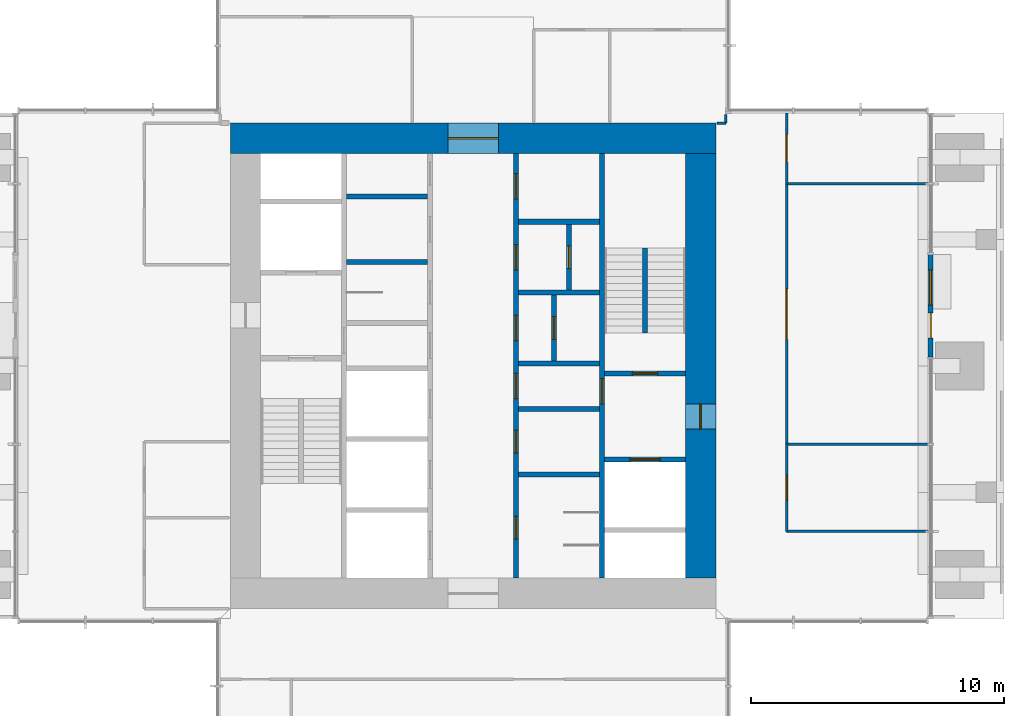
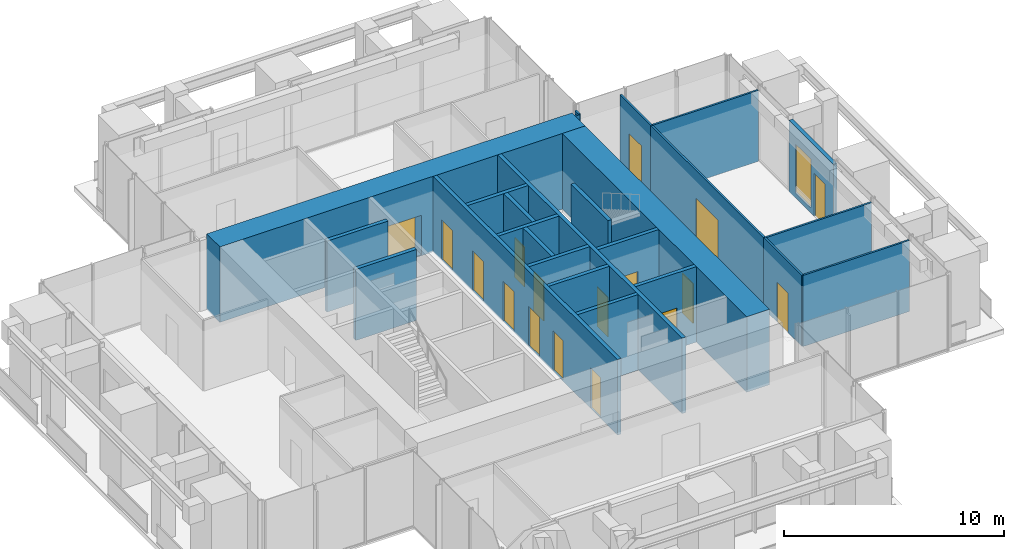
# One storey, part 8 of 12: 25 walls, 17 doors, 1 window, 18 openings.
"""IFC4 building model written with IfcOpenShell, lengths in metres."""

from ifc_helpers import new_model, si_unit, direction, frame, frame_2d, origin, place, context, subcontext, project, spatial, rectangle, extrude, material, layer, layer_set, type_object, element, fill, save


model = new_model("IFC4")

# Units and contexts
model_context = context("Model", 3, precision=1e-05, world=origin(), true_north=direction((0.0, 1.0)))
body_context = subcontext(model_context, "Body", "Model", "MODEL_VIEW")
ifc_project = project(units=[si_unit("LENGTHUNIT", "METRE"), si_unit("AREAUNIT", "SQUARE_METRE"), si_unit("VOLUMEUNIT", "CUBIC_METRE"), si_unit("PLANEANGLEUNIT", "RADIAN"), si_unit("MASSUNIT", "GRAM", prefix="KILO")], contexts=[model_context])

# Site, building, storey
site_placement = place(None, origin())
site = spatial("IfcSite", under=ifc_project, at=site_placement, CompositionType="ELEMENT")
building_placement = place(site_placement, origin())
building = spatial("IfcBuilding", under=site, at=building_placement, Name="Svetlomir Tower", CompositionType="ELEMENT")
storey_placement = place(building_placement, frame((0.0, 0.0, 265.0)))
storey = spatial("IfcBuildingStorey", under=building, at=storey_placement, Name="L63", CompositionType="ELEMENT", Elevation=265.0)

# Walls
ifc_material_1 = material(Name="Gypsum board on twin steel studs", Category="steel")
ifc_layer_1 = layer(ifc_material_1, 0.199951171875)
ifc_layer_set_1 = layer_set([ifc_layer_1], Name="Gypsum board on twin steel studs")
wall_type_1 = type_object("IfcWallType", Name="ACOUSTIC PARTITION 200", PredefinedType="PARTITIONING", material=ifc_layer_set_1)
for number, where, z_axis, x_axis, name in (
    (1, (16.0, 25.10009765625, 0.0), (0.0, 0.0, 1.0), (1.0, 0.0, 0.0), "Core cell partition 16-19.2/25.1 L63"),
    (2, (16.0, 27.699951171875, 0.0), (0.0, 0.0, 1.0), (1.0, 0.0, 0.0), "Core cell partition 16-19.2/27.7 L63"),
):
    element("IfcWall", number, at=place(storey_placement, frame(where, z_axis=z_axis, x_axis=x_axis)), inside=storey, type_object=wall_type_1, Name=name, PredefinedType="PARTITIONING", context=body_context, shape_type="SweptSolid", body=[
        extrude(rectangle(XDim=3.199951171875, YDim=0.199951171875, at=frame_2d((1.60009765625, 0.0))), origin(), (0.0, 0.0, 1.0), 3.949951171875),
    ])

# Wall, openings, door, window
ifc_material_2 = material(Name="Bronze anodised aluminium glazed screen", Category="aluminium")
ifc_layer_2 = layer(ifc_material_2, 0.199951171875)
ifc_layer_set_2 = layer_set([ifc_layer_2], Name="Bronze anodised aluminium glazed screen")
wall_type_2 = type_object("IfcWallType", Name="BALCONY SCREEN WALL 200", PredefinedType="USERDEFINED", material=ifc_layer_set_2)
wall_1_placement = place(storey_placement, frame((39.10009765625, 21.35009765625, 0.0), z_axis=(0.0, 0.0, 1.0), x_axis=(0.0, 1.0, 0.0)))
wall_1 = element("IfcWall", 3, at=wall_1_placement, inside=storey, type_object=wall_type_2, Name="Balcony screen E", ObjectType="GLAZED SCREEN", PredefinedType="USERDEFINED", context=body_context, shape_type="SweptSolid", body=[
    extrude(rectangle(XDim=4.0498046875, YDim=0.199951171875, at=frame_2d((2.02490234375, 0.0))), origin(), (0.0, 0.0, 1.0), 3.949951171875),
])
opening_1_placement = place(wall_1_placement, frame((0.75, 0.0, 0.0)))
opening_1 = element("IfcOpeningElement", 4, at=opening_1_placement, cuts=wall_1, Name="Opening BD", PredefinedType="OPENING", context=body_context, shape_type="SweptSolid", body=[
    extrude(rectangle(XDim=1.0, YDim=2.39990234375, at=frame_2d((0.5, 1.199951171875))), frame((0.0, 0.10986328125, 0.0), z_axis=(0.0, -1.0, 0.0), x_axis=(1.0, 0.0, 0.0)), (0.0, 0.0, 1.0), 0.219970703125),
])
opening_2_placement = place(wall_1_placement, frame((2.050048828125, 0.0, 0.300048828125)))
opening_2 = element("IfcOpeningElement", 5, at=opening_2_placement, cuts=wall_1, Name="Opening WS2", PredefinedType="OPENING", context=body_context, shape_type="SweptSolid", body=[
    extrude(rectangle(XDim=1.39990234375, YDim=2.699951171875, at=frame_2d((0.699951171875, 1.35009765625))), frame((0.0, 0.10986328125, 0.0), z_axis=(0.0, -1.0, 0.0), x_axis=(1.0, 0.0, 0.0)), (0.0, 0.0, 1.0), 0.219970703125),
])
ifc_material_3 = material(Name="Bronze anodised aluminium glazed door", Category="aluminium")
door_type_1 = type_object("IfcDoorType", Name="BALCONY DOOR BD 1000x2400", OperationType="SINGLE_SWING_LEFT", PredefinedType="DOOR", material=ifc_material_3)
door_1_placement = place(opening_1_placement, origin())
door_1 = element("IfcDoor", 6, at=door_1_placement, inside=storey, type_object=door_type_1, Name="Balcony screen E door", OperationType="SINGLE_SWING_LEFT", OverallHeight=2.39990234375, OverallWidth=1.0, PredefinedType="DOOR", context=body_context, shape_type="SweptSolid", body=[
    extrude(rectangle(XDim=1.0, YDim=2.39990234375, at=frame_2d((0.5, 1.199951171875))), frame((0.0, 0.02490234375, 0.0), z_axis=(0.0, -1.0, 0.0), x_axis=(1.0, 0.0, 0.0)), (0.0, 0.0, 1.0), 0.050048828125),
])
fill(opening_1, door_1)
ifc_material_4 = material(Name="Bronze anodised aluminium window", Category="aluminium")
window_type = type_object("IfcWindowType", Name="SCREEN WINDOW WS2 1400x2700", PartitioningType="SINGLE_PANEL", PredefinedType="WINDOW", material=ifc_material_4)
window_placement = place(opening_2_placement, origin())
window = element("IfcWindow", 7, at=window_placement, inside=storey, type_object=window_type, Name="Balcony screen E window 1", OverallHeight=2.699951171875, OverallWidth=1.39990234375, PartitioningType="SINGLE_PANEL", PredefinedType="WINDOW", context=body_context, shape_type="SweptSolid", body=[
    extrude(rectangle(XDim=1.39990234375, YDim=2.699951171875, at=frame_2d((0.699951171875, 1.35009765625))), frame((0.0, 0.030029296875, 0.0), z_axis=(0.0, -1.0, 0.0), x_axis=(1.0, 0.0, 0.0)), (0.0, 0.0, 1.0), 0.06005859375),
])
fill(opening_2, window)

# Wall, openings, doors
ifc_material_5 = material(Name="Concrete C60/75", Category="concrete")
ifc_layer_3 = layer(ifc_material_5, 0.199951171875)
ifc_layer_set_3 = layer_set([ifc_layer_3], Name="Concrete C60/75")
wall_type_3 = type_object("IfcWallType", Name="CORE INNER WALL 200", PredefinedType="SHEAR", material=ifc_layer_set_3)
wall_2_placement = place(storey_placement, frame((22.699951171875, 12.60009765625, -0.050048828125), z_axis=(0.0, 0.0, 1.0), x_axis=(0.0, 1.0, 0.0)))
wall_2 = element("IfcWall", 8, at=wall_2_placement, inside=storey, type_object=wall_type_3, Name="Core inner wall 22.7 L63", PredefinedType="SHEAR", context=body_context, shape_type="SweptSolid", body=[
    extrude(rectangle(XDim=16.7998046875, YDim=0.199951171875, at=frame_2d((8.39990234375, 0.0))), origin(), (0.0, 0.0, 1.0), 4.199951171875),
])
opening_3_placement = place(wall_2_placement, frame((7.10009765625, 0.0, 0.050048828125)))
opening_3 = element("IfcOpeningElement", 9, at=opening_3_placement, cuts=wall_2, Name="Opening DC", PredefinedType="OPENING", context=body_context, shape_type="SweptSolid", body=[
    extrude(rectangle(XDim=1.0, YDim=2.199951171875, at=frame_2d((0.5, 1.10009765625))), frame((0.0, 0.10986328125, 0.0), z_axis=(0.0, -1.0, 0.0), x_axis=(1.0, 0.0, 0.0)), (0.0, 0.0, 1.0), 0.219970703125),
])
opening_4_placement = place(wall_2_placement, frame((1.550048828125, 0.0, 0.050048828125)))
opening_4 = element("IfcOpeningElement", 10, at=opening_4_placement, cuts=wall_2, Name="Opening DW", PredefinedType="OPENING", context=body_context, shape_type="SweptSolid", body=[
    extrude(rectangle(XDim=0.89990234375, YDim=2.199951171875, at=frame_2d((0.449951171875, 1.10009765625))), frame((0.0, 0.10986328125, 0.0), z_axis=(0.0, -1.0, 0.0), x_axis=(1.0, 0.0, 0.0)), (0.0, 0.0, 1.0), 0.219970703125),
])
opening_5_placement = place(wall_2_placement, frame((4.949951171875, 0.0, 0.050048828125)))
opening_5 = element("IfcOpeningElement", 11, at=opening_5_placement, cuts=wall_2, Name="Opening DW", PredefinedType="OPENING", context=body_context, shape_type="SweptSolid", body=[
    extrude(rectangle(XDim=0.89990234375, YDim=2.199951171875, at=frame_2d((0.449951171875, 1.10009765625))), frame((0.0, 0.10986328125, 0.0), z_axis=(0.0, -1.0, 0.0), x_axis=(1.0, 0.0, 0.0)), (0.0, 0.0, 1.0), 0.219970703125),
])
opening_6_placement = place(wall_2_placement, frame((9.39990234375, 0.0, 0.050048828125)))
opening_6 = element("IfcOpeningElement", 12, at=opening_6_placement, cuts=wall_2, Name="Opening DC", PredefinedType="OPENING", context=body_context, shape_type="SweptSolid", body=[
    extrude(rectangle(XDim=1.0, YDim=2.199951171875, at=frame_2d((0.5, 1.10009765625))), frame((0.0, 0.10986328125, 0.0), z_axis=(0.0, -1.0, 0.0), x_axis=(1.0, 0.0, 0.0)), (0.0, 0.0, 1.0), 0.219970703125),
])
opening_7_placement = place(wall_2_placement, frame((12.199951171875, 0.0, 0.050048828125)))
opening_7 = element("IfcOpeningElement", 13, at=opening_7_placement, cuts=wall_2, Name="Opening DC", PredefinedType="OPENING", context=body_context, shape_type="SweptSolid", body=[
    extrude(rectangle(XDim=1.0, YDim=2.199951171875, at=frame_2d((0.5, 1.10009765625))), frame((0.0, 0.10986328125, 0.0), z_axis=(0.0, -1.0, 0.0), x_axis=(1.0, 0.0, 0.0)), (0.0, 0.0, 1.0), 0.219970703125),
])
opening_8_placement = place(wall_2_placement, frame((15.0, 0.0, 0.050048828125)))
opening_8 = element("IfcOpeningElement", 14, at=opening_8_placement, cuts=wall_2, Name="Opening DC", PredefinedType="OPENING", context=body_context, shape_type="SweptSolid", body=[
    extrude(rectangle(XDim=1.0, YDim=2.199951171875, at=frame_2d((0.5, 1.10009765625))), frame((0.0, 0.10986328125, 0.0), z_axis=(0.0, -1.0, 0.0), x_axis=(1.0, 0.0, 0.0)), (0.0, 0.0, 1.0), 0.219970703125),
])
ifc_material_6 = material(Name="Timber fire door", Category="wood")
door_type_2 = type_object("IfcDoorType", Name="DOOR DC 1000x2200", OperationType="SINGLE_SWING_LEFT", PredefinedType="DOOR", material=ifc_material_6)
door_2_placement = place(opening_3_placement, origin())
door_2 = element("IfcDoor", 15, at=door_2_placement, inside=storey, type_object=door_type_2, Name="Core corridor east lobby door L63", OperationType="SINGLE_SWING_RIGHT", OverallHeight=2.199951171875, OverallWidth=1.0, PredefinedType="DOOR", context=body_context, shape_type="SweptSolid", body=[
    extrude(rectangle(XDim=1.0, YDim=2.199951171875, at=frame_2d((0.5, 1.10009765625))), frame((0.0, 0.02490234375, 0.0), z_axis=(0.0, -1.0, 0.0), x_axis=(1.0, 0.0, 0.0)), (0.0, 0.0, 1.0), 0.050048828125),
])
fill(opening_3, door_2)
door_3_placement = place(opening_6_placement, origin())
door_3 = element("IfcDoor", 16, at=door_3_placement, inside=storey, type_object=door_type_2, Name="Converted shaft BANK-E1 room door L63", OperationType="SINGLE_SWING_RIGHT", OverallHeight=2.199951171875, OverallWidth=1.0, PredefinedType="DOOR", context=body_context, shape_type="SweptSolid", body=[
    extrude(rectangle(XDim=1.0, YDim=2.199951171875, at=frame_2d((0.5, 1.10009765625))), frame((0.0, 0.02490234375, 0.0), z_axis=(0.0, -1.0, 0.0), x_axis=(1.0, 0.0, 0.0)), (0.0, 0.0, 1.0), 0.050048828125),
])
fill(opening_6, door_3)
door_4_placement = place(opening_7_placement, origin())
door_4 = element("IfcDoor", 17, at=door_4_placement, inside=storey, type_object=door_type_2, Name="Converted shaft BANK-E2 room door L63", OperationType="SINGLE_SWING_RIGHT", OverallHeight=2.199951171875, OverallWidth=1.0, PredefinedType="DOOR", context=body_context, shape_type="SweptSolid", body=[
    extrude(rectangle(XDim=1.0, YDim=2.199951171875, at=frame_2d((0.5, 1.10009765625))), frame((0.0, 0.02490234375, 0.0), z_axis=(0.0, -1.0, 0.0), x_axis=(1.0, 0.0, 0.0)), (0.0, 0.0, 1.0), 0.050048828125),
])
fill(opening_7, door_4)
door_5_placement = place(opening_8_placement, origin())
door_5 = element("IfcDoor", 18, at=door_5_placement, inside=storey, type_object=door_type_2, Name="Converted shaft BANK-E3 room door L63", OperationType="SINGLE_SWING_RIGHT", OverallHeight=2.199951171875, OverallWidth=1.0, PredefinedType="DOOR", context=body_context, shape_type="SweptSolid", body=[
    extrude(rectangle(XDim=1.0, YDim=2.199951171875, at=frame_2d((0.5, 1.10009765625))), frame((0.0, 0.02490234375, 0.0), z_axis=(0.0, -1.0, 0.0), x_axis=(1.0, 0.0, 0.0)), (0.0, 0.0, 1.0), 0.050048828125),
])
fill(opening_8, door_5)
ifc_material_7 = material(Name="Timber fire door", Category="wood")
door_type_3 = type_object("IfcDoorType", Name="DOOR DW 900x2200", OperationType="SINGLE_SWING_LEFT", PredefinedType="DOOR", material=ifc_material_7)
door_6_placement = place(opening_4_placement, origin())
door_6 = element("IfcDoor", 19, at=door_6_placement, inside=storey, type_object=door_type_3, Name="Male WC door L63", OperationType="SINGLE_SWING_RIGHT", OverallHeight=2.199951171875, OverallWidth=0.89990234375, PredefinedType="DOOR", context=body_context, shape_type="SweptSolid", body=[
    extrude(rectangle(XDim=0.89990234375, YDim=2.199951171875, at=frame_2d((0.449951171875, 1.10009765625))), frame((0.0, 0.02490234375, 0.0), z_axis=(0.0, -1.0, 0.0), x_axis=(1.0, 0.0, 0.0)), (0.0, 0.0, 1.0), 0.050048828125),
])
fill(opening_4, door_6)
door_7_placement = place(opening_5_placement, origin())
door_7 = element("IfcDoor", 20, at=door_7_placement, inside=storey, type_object=door_type_3, Name="Comms room door L63", OperationType="SINGLE_SWING_LEFT", OverallHeight=2.199951171875, OverallWidth=0.89990234375, PredefinedType="DOOR", context=body_context, shape_type="SweptSolid", body=[
    extrude(rectangle(XDim=0.89990234375, YDim=2.199951171875, at=frame_2d((0.449951171875, 1.10009765625))), frame((0.0, 0.02490234375, 0.0), z_axis=(0.0, -1.0, 0.0), x_axis=(1.0, 0.0, 0.0)), (0.0, 0.0, 1.0), 0.050048828125),
])
fill(opening_5, door_7)

# Wall, opening, door
wall_3_placement = place(storey_placement, frame((26.10009765625, 12.60009765625, -0.050048828125), z_axis=(0.0, 0.0, 1.0), x_axis=(0.0, 1.0, 0.0)))
wall_3 = element("IfcWall", 21, at=wall_3_placement, inside=storey, type_object=wall_type_3, Name="Core inner wall 26.1 L63", PredefinedType="SHEAR", context=body_context, shape_type="SweptSolid", body=[
    extrude(rectangle(XDim=16.7998046875, YDim=0.199951171875, at=frame_2d((8.39990234375, 0.0))), origin(), (0.0, 0.0, 1.0), 4.199951171875),
])
opening_9_placement = place(wall_3_placement, frame((6.89990234375, 0.0, 0.050048828125)))
opening_9 = element("IfcOpeningElement", 22, at=opening_9_placement, cuts=wall_3, Name="Opening DF", PredefinedType="OPENING", context=body_context, shape_type="SweptSolid", body=[
    extrude(rectangle(XDim=1.0, YDim=2.199951171875, at=frame_2d((0.5, 1.10009765625))), frame((0.0, 0.10986328125, 0.0), z_axis=(0.0, -1.0, 0.0), x_axis=(1.0, 0.0, 0.0)), (0.0, 0.0, 1.0), 0.219970703125),
])
ifc_material_8 = material(Name="Steel fire door", Category="steel")
door_type_4 = type_object("IfcDoorType", Name="DOOR DF 1000x2200", OperationType="SINGLE_SWING_LEFT", PredefinedType="DOOR", material=ifc_material_8)
door_8_placement = place(opening_9_placement, origin())
door_8 = element("IfcDoor", 23, at=door_8_placement, inside=storey, type_object=door_type_4, Name="Core corridor east door L63", OperationType="SINGLE_SWING_LEFT", OverallHeight=2.199951171875, OverallWidth=1.0, PredefinedType="DOOR", context=body_context, shape_type="SweptSolid", body=[
    extrude(rectangle(XDim=1.0, YDim=2.199951171875, at=frame_2d((0.5, 1.10009765625))), frame((0.0, 0.02490234375, 0.0), z_axis=(0.0, -1.0, 0.0), x_axis=(1.0, 0.0, 0.0)), (0.0, 0.0, 1.0), 0.050048828125),
])
fill(opening_9, door_8)

# Walls
for number, where, z_axis, x_axis, name in (
    (24, (22.800048828125, 16.699951171875, -0.050048828125), (0.0, 0.0, 1.0), (1.0, 0.0, 0.0), "Core inner wall 22.8-26/16.7 L63"),
    (25, (22.800048828125, 19.300048828125, -0.050048828125), (0.0, 0.0, 1.0), (1.0, 0.0, 0.0), "Core inner wall 22.8-26/19.3 L63"),
    (26, (22.800048828125, 21.10009765625, -0.050048828125), (0.0, 0.0, 1.0), (1.0, 0.0, 0.0), "Core inner wall 22.8-26/21.1 L63"),
    (27, (22.800048828125, 23.89990234375, -0.050048828125), (0.0, 0.0, 1.0), (1.0, 0.0, 0.0), "Core inner wall 22.8-26/23.9 L63"),
    (28, (22.800048828125, 26.699951171875, -0.050048828125), (0.0, 0.0, 1.0), (1.0, 0.0, 0.0), "Core inner wall 22.8-26/26.7 L63"),
):
    element("IfcWall", number, at=place(storey_placement, frame(where, z_axis=z_axis, x_axis=x_axis)), inside=storey, type_object=wall_type_3, Name=name, PredefinedType="SHEAR", context=body_context, shape_type="SweptSolid", body=[
        extrude(rectangle(XDim=3.199951171875, YDim=0.199951171875, at=frame_2d((1.60009765625, 0.0))), origin(), (0.0, 0.0, 1.0), 4.199951171875),
    ])

# Wall, opening, door
wall_4_placement = place(storey_placement, frame((26.199951171875, 17.300048828125, -0.050048828125), z_axis=(0.0, 0.0, 1.0), x_axis=(1.0, 0.0, 0.0)))
wall_4 = element("IfcWall", 29, at=wall_4_placement, inside=storey, type_object=wall_type_3, Name="Core inner wall 26.2-29.4/17.3 L63", PredefinedType="SHEAR", context=body_context, shape_type="SweptSolid", body=[
    extrude(rectangle(XDim=3.199951171875, YDim=0.199951171875, at=frame_2d((1.60009765625, 0.0))), origin(), (0.0, 0.0, 1.0), 4.199951171875),
])
opening_10_placement = place(wall_4_placement, frame((1.0, 0.0, 0.050048828125)))
opening_10 = element("IfcOpeningElement", 30, at=opening_10_placement, cuts=wall_4, Name="Opening LD3", PredefinedType="OPENING", context=body_context, shape_type="SweptSolid", body=[
    extrude(rectangle(XDim=1.199951171875, YDim=2.199951171875, at=frame_2d((0.60009765625, 1.10009765625))), frame((0.0, 0.10986328125, 0.0), z_axis=(0.0, -1.0, 0.0), x_axis=(1.0, 0.0, 0.0)), (0.0, 0.0, 1.0), 0.219970703125),
])
ifc_material_9 = material(Name="Stainless steel fire-rated landing door", Category="steel")
door_type_5 = type_object("IfcDoorType", Name="FIREFIGHTING LIFT LANDING DOOR LD3 1200x2200", OperationType="DOUBLE_DOOR_SLIDING", PredefinedType="DOOR", material=ifc_material_9)
door_9_placement = place(opening_10_placement, origin())
door_9 = element("IfcDoor", 31, at=door_9_placement, inside=storey, type_object=door_type_5, Name="Landing door lift FL2 L63", OperationType="DOUBLE_DOOR_SLIDING", OverallHeight=2.199951171875, OverallWidth=1.199951171875, PredefinedType="DOOR", context=body_context, shape_type="SweptSolid", body=[
    extrude(rectangle(XDim=1.199951171875, YDim=2.199951171875, at=frame_2d((0.60009765625, 1.10009765625))), frame((0.0, 0.02490234375, 0.0), z_axis=(0.0, -1.0, 0.0), x_axis=(1.0, 0.0, 0.0)), (0.0, 0.0, 1.0), 0.050048828125),
])
fill(opening_10, door_9)

wall_5_placement = place(storey_placement, frame((26.199951171875, 20.699951171875, -0.050048828125), z_axis=(0.0, 0.0, 1.0), x_axis=(1.0, 0.0, 0.0)))
wall_5 = element("IfcWall", 32, at=wall_5_placement, inside=storey, type_object=wall_type_3, Name="Core inner wall 26.2-29.4/20.7 L63", PredefinedType="SHEAR", context=body_context, shape_type="SweptSolid", body=[
    extrude(rectangle(XDim=3.199951171875, YDim=0.199951171875, at=frame_2d((1.60009765625, 0.0))), origin(), (0.0, 0.0, 1.0), 4.199951171875),
])
opening_11_placement = place(wall_5_placement, frame((1.10009765625, 0.0, 0.050048828125)))
opening_11 = element("IfcOpeningElement", 33, at=opening_11_placement, cuts=wall_5, Name="Opening DF", PredefinedType="OPENING", context=body_context, shape_type="SweptSolid", body=[
    extrude(rectangle(XDim=1.0, YDim=2.199951171875, at=frame_2d((0.5, 1.10009765625))), frame((0.0, 0.10986328125, 0.0), z_axis=(0.0, -1.0, 0.0), x_axis=(1.0, 0.0, 0.0)), (0.0, 0.0, 1.0), 0.219970703125),
])
door_10_placement = place(opening_11_placement, origin())
door_10 = element("IfcDoor", 34, at=door_10_placement, inside=storey, type_object=door_type_4, Name="Stair S2 door L63", OperationType="SINGLE_SWING_RIGHT", OverallHeight=2.199951171875, OverallWidth=1.0, PredefinedType="DOOR", context=body_context, shape_type="SweptSolid", body=[
    extrude(rectangle(XDim=1.0, YDim=2.199951171875, at=frame_2d((0.5, 1.10009765625))), frame((0.0, 0.02490234375, 0.0), z_axis=(0.0, -1.0, 0.0), x_axis=(1.0, 0.0, 0.0)), (0.0, 0.0, 1.0), 0.050048828125),
])
fill(opening_11, door_10)

wall_6_placement = place(storey_placement, frame((24.199951171875, 21.199951171875, -0.050048828125), z_axis=(0.0, 0.0, 1.0), x_axis=(0.0, 1.0, 0.0)))
wall_6 = element("IfcWall", 35, at=wall_6_placement, inside=storey, type_object=wall_type_3, Name="Core inner wall 24.2/21.2-23.8 L63", PredefinedType="SHEAR", context=body_context, shape_type="SweptSolid", body=[
    extrude(rectangle(XDim=2.60009765625, YDim=0.199951171875, at=frame_2d((1.300048828125, 0.0))), origin(), (0.0, 0.0, 1.0), 4.199951171875),
])
opening_12_placement = place(wall_6_placement, frame((0.85009765625, 0.0, 0.050048828125)))
opening_12 = element("IfcOpeningElement", 36, at=opening_12_placement, cuts=wall_6, Name="Opening DW", PredefinedType="OPENING", context=body_context, shape_type="SweptSolid", body=[
    extrude(rectangle(XDim=0.89990234375, YDim=2.199951171875, at=frame_2d((0.449951171875, 1.10009765625))), frame((0.0, 0.10986328125, 0.0), z_axis=(0.0, -1.0, 0.0), x_axis=(1.0, 0.0, 0.0)), (0.0, 0.0, 1.0), 0.219970703125),
])
door_11_placement = place(opening_12_placement, origin())
door_11 = element("IfcDoor", 37, at=door_11_placement, inside=storey, type_object=door_type_3, Name="Converted shaft BANK-E1 back room door L63", OperationType="SINGLE_SWING_LEFT", OverallHeight=2.199951171875, OverallWidth=0.89990234375, PredefinedType="DOOR", context=body_context, shape_type="SweptSolid", body=[
    extrude(rectangle(XDim=0.89990234375, YDim=2.199951171875, at=frame_2d((0.449951171875, 1.10009765625))), frame((0.0, 0.02490234375, 0.0), z_axis=(0.0, -1.0, 0.0), x_axis=(1.0, 0.0, 0.0)), (0.0, 0.0, 1.0), 0.050048828125),
])
fill(opening_12, door_11)

wall_7_placement = place(storey_placement, frame((24.800048828125, 24.0, -0.050048828125), z_axis=(0.0, 0.0, 1.0), x_axis=(0.0, 1.0, 0.0)))
wall_7 = element("IfcWall", 38, at=wall_7_placement, inside=storey, type_object=wall_type_3, Name="Core inner wall 24.8/24-26.6 L63", PredefinedType="SHEAR", context=body_context, shape_type="SweptSolid", body=[
    extrude(rectangle(XDim=2.60009765625, YDim=0.199951171875, at=frame_2d((1.300048828125, 0.0))), origin(), (0.0, 0.0, 1.0), 4.199951171875),
])
opening_13_placement = place(wall_7_placement, frame((0.85009765625, 0.0, 0.050048828125)))
opening_13 = element("IfcOpeningElement", 39, at=opening_13_placement, cuts=wall_7, Name="Opening DW", PredefinedType="OPENING", context=body_context, shape_type="SweptSolid", body=[
    extrude(rectangle(XDim=0.89990234375, YDim=2.199951171875, at=frame_2d((0.449951171875, 1.10009765625))), frame((0.0, 0.10986328125, 0.0), z_axis=(0.0, -1.0, 0.0), x_axis=(1.0, 0.0, 0.0)), (0.0, 0.0, 1.0), 0.219970703125),
])
door_12_placement = place(opening_13_placement, origin())
door_12 = element("IfcDoor", 40, at=door_12_placement, inside=storey, type_object=door_type_3, Name="Converted shaft BANK-E2 back room door L63", OperationType="SINGLE_SWING_LEFT", OverallHeight=2.199951171875, OverallWidth=0.89990234375, PredefinedType="DOOR", context=body_context, shape_type="SweptSolid", body=[
    extrude(rectangle(XDim=0.89990234375, YDim=2.199951171875, at=frame_2d((0.449951171875, 1.10009765625))), frame((0.0, 0.02490234375, 0.0), z_axis=(0.0, -1.0, 0.0), x_axis=(1.0, 0.0, 0.0)), (0.0, 0.0, 1.0), 0.050048828125),
])
fill(opening_13, door_12)

ifc_material_10 = material(Name="Concrete C60/75", Category="concrete")
ifc_layer_4 = layer(ifc_material_10, 1.199951171875)
ifc_layer_set_4 = layer_set([ifc_layer_4], Name="Concrete C60/75")
wall_type_4 = type_object("IfcWallType", Name="CORE WALL 1200", PredefinedType="SHEAR", material=ifc_layer_set_4)
wall_8_placement = place(storey_placement, frame((11.39990234375, 30.0, -0.050048828125), z_axis=(0.0, 0.0, 1.0), x_axis=(1.0, 0.0, 0.0)))
wall_8 = element("IfcWall", 41, at=wall_8_placement, inside=storey, type_object=wall_type_4, Name="Core wall north L63", PredefinedType="SHEAR", context=body_context, shape_type="SweptSolid", body=[
    extrude(rectangle(XDim=19.2001953125, YDim=1.199951171875, at=frame_2d((9.60009765625, 0.0))), origin(), (0.0, 0.0, 1.0), 4.199951171875),
])
opening_14_placement = place(wall_8_placement, frame((8.60009765625, 0.0, 0.050048828125)))
opening_14 = element("IfcOpeningElement", 42, at=opening_14_placement, cuts=wall_8, Name="Opening DL", PredefinedType="OPENING", context=body_context, shape_type="SweptSolid", body=[
    extrude(rectangle(XDim=2.0, YDim=2.199951171875, at=frame_2d((1.0, 1.10009765625))), frame((0.0, 0.60986328125, 0.0), z_axis=(0.0, -1.0, 0.0), x_axis=(1.0, 0.0, 0.0)), (0.0, 0.0, 1.0), 1.219970703125),
])
ifc_material_11 = material(Name="Steel fire door", Category="steel")
door_type_6 = type_object("IfcDoorType", Name="DOOR DL 2000x2200", OperationType="DOUBLE_DOOR_SINGLE_SWING", PredefinedType="DOOR", material=ifc_material_11)
door_13_placement = place(opening_14_placement, origin())
door_13 = element("IfcDoor", 43, at=door_13_placement, inside=storey, type_object=door_type_6, Name="Lift lobby north door L63", OperationType="DOUBLE_DOOR_SINGLE_SWING", OverallHeight=2.199951171875, OverallWidth=2.0, PredefinedType="DOOR", context=body_context, shape_type="SweptSolid", body=[
    extrude(rectangle(XDim=2.0, YDim=2.199951171875, at=frame_2d((1.0, 1.10009765625))), frame((0.0, 0.02490234375, 0.0), z_axis=(0.0, -1.0, 0.0), x_axis=(1.0, 0.0, 0.0)), (0.0, 0.0, 1.0), 0.050048828125),
])
fill(opening_14, door_13)

wall_9_placement = place(storey_placement, frame((30.0, 12.60009765625, -0.050048828125), z_axis=(0.0, 0.0, 1.0), x_axis=(0.0, 1.0, 0.0)))
wall_9 = element("IfcWall", 44, at=wall_9_placement, inside=storey, type_object=wall_type_4, Name="Core wall east L63", PredefinedType="SHEAR", context=body_context, shape_type="SweptSolid", body=[
    extrude(rectangle(XDim=16.7998046875, YDim=1.199951171875, at=frame_2d((8.39990234375, 0.0))), origin(), (0.0, 0.0, 1.0), 4.199951171875),
])
opening_15_placement = place(wall_9_placement, frame((5.89990234375, 0.0, 0.050048828125)))
opening_15 = element("IfcOpeningElement", 45, at=opening_15_placement, cuts=wall_9, Name="Opening DF", PredefinedType="OPENING", context=body_context, shape_type="SweptSolid", body=[
    extrude(rectangle(XDim=1.0, YDim=2.199951171875, at=frame_2d((0.5, 1.10009765625))), frame((0.0, 0.60986328125, 0.0), z_axis=(0.0, -1.0, 0.0), x_axis=(1.0, 0.0, 0.0)), (0.0, 0.0, 1.0), 1.219970703125),
])
door_14_placement = place(opening_15_placement, origin())
door_14 = element("IfcDoor", 46, at=door_14_placement, inside=storey, type_object=door_type_4, Name="Firefighting lobby east door L63", OperationType="SINGLE_SWING_RIGHT", OverallHeight=2.199951171875, OverallWidth=1.0, PredefinedType="DOOR", context=body_context, shape_type="SweptSolid", body=[
    extrude(rectangle(XDim=1.0, YDim=2.199951171875, at=frame_2d((0.5, 1.10009765625))), frame((0.0, 0.02490234375, 0.0), z_axis=(0.0, -1.0, 0.0), x_axis=(1.0, 0.0, 0.0)), (0.0, 0.0, 1.0), 0.050048828125),
])
fill(opening_15, door_14)

# Walls
ifc_material_12 = material(Name="Framed laminated glass partition", Category="glass")
ifc_layer_5 = layer(ifc_material_12, 0.10009765625)
ifc_layer_set_5 = layer_set([ifc_layer_5], Name="Framed laminated glass partition")
wall_type_5 = type_object("IfcWallType", Name="GLAZED PARTITION 100", PredefinedType="PARTITIONING", material=ifc_layer_set_5)
wall_10_placement = place(storey_placement, frame((30.64990234375, 30.60009765625, 0.0), z_axis=(0.0, 0.0, 1.0), x_axis=(1.0, 0.0, 0.0)))
element("IfcWall", 47, at=wall_10_placement, inside=storey, type_object=wall_type_5, Name="Partition L63", PredefinedType="PARTITIONING", context=body_context, shape_type="SweptSolid", body=[
    extrude(rectangle(XDim=0.35009765625, YDim=0.10009765625, at=frame_2d((0.175048828125, 0.0))), origin(), (0.0, 0.0, 1.0), 3.949951171875),
])
wall_11_placement = place(storey_placement, frame((31.0, 30.60009765625, 0.0), z_axis=(0.0, 0.0, 1.0), x_axis=(0.0, 1.0, 0.0)))
element("IfcWall", 48, at=wall_11_placement, inside=storey, type_object=wall_type_5, Name="Partition L63", PredefinedType="PARTITIONING", context=body_context, shape_type="SweptSolid", body=[
    extrude(rectangle(XDim=0.349853515625, YDim=0.10009765625, at=frame_2d((0.1748046875, 0.0))), origin(), (0.0, 0.0, 1.0), 3.949951171875),
])

# Wall, opening, door
wall_12_placement = place(storey_placement, frame((33.39990234375, 14.449951171875, 0.0), z_axis=(0.0, 0.0, 1.0), x_axis=(0.0, 1.0, 0.0)))
wall_12 = element("IfcWall", 49, at=wall_12_placement, inside=storey, type_object=wall_type_5, Name="Glazed partition L63", PredefinedType="PARTITIONING", context=body_context, shape_type="SweptSolid", body=[
    extrude(rectangle(XDim=3.449951171875, YDim=0.10009765625, at=frame_2d((1.72509765625, 0.0))), origin(), (0.0, 0.0, 1.0), 3.949951171875),
])
opening_16_placement = place(wall_12_placement, frame((1.22509765625, 0.0, 0.0)))
opening_16 = element("IfcOpeningElement", 50, at=opening_16_placement, cuts=wall_12, Name="Opening DR", PredefinedType="OPENING", context=body_context, shape_type="SweptSolid", body=[
    extrude(rectangle(XDim=1.0, YDim=2.199951171875, at=frame_2d((0.5, 1.10009765625))), frame((0.0, 0.06005859375, 0.0), z_axis=(0.0, -1.0, 0.0), x_axis=(1.0, 0.0, 0.0)), (0.0, 0.0, 1.0), 0.1201171875),
])
ifc_material_13 = material(Name="Timber door, glazed side light", Category="wood")
door_type_7 = type_object("IfcDoorType", Name="DOOR DR 1000x2200", OperationType="SINGLE_SWING_LEFT", PredefinedType="DOOR", material=ifc_material_13)
door_15_placement = place(opening_16_placement, origin())
door_15 = element("IfcDoor", 51, at=door_15_placement, inside=storey, type_object=door_type_7, Name="Board pantry door L63", OperationType="SINGLE_SWING_LEFT", OverallHeight=2.199951171875, OverallWidth=1.0, PredefinedType="DOOR", context=body_context, shape_type="SweptSolid", body=[
    extrude(rectangle(XDim=1.0, YDim=2.199951171875, at=frame_2d((0.5, 1.10009765625))), frame((0.0, 0.02490234375, 0.0), z_axis=(0.0, -1.0, 0.0), x_axis=(1.0, 0.0, 0.0)), (0.0, 0.0, 1.0), 0.050048828125),
])
fill(opening_16, door_15)

# Wall
wall_13_placement = place(storey_placement, frame((33.39990234375, 14.449951171875, 0.0), z_axis=(0.0, 0.0, 1.0), x_axis=(1.0, 0.0, 0.0)))
element("IfcWall", 52, at=wall_13_placement, inside=storey, type_object=wall_type_5, Name="Glazed partition L63", PredefinedType="PARTITIONING", context=body_context, shape_type="SweptSolid", body=[
    extrude(rectangle(XDim=5.60009765625, YDim=0.10009765625, at=frame_2d((2.800048828125, 0.0))), origin(), (0.0, 0.0, 1.0), 3.949951171875),
])

# Wall, opening, door
wall_14_placement = place(storey_placement, frame((33.39990234375, 17.89990234375, 0.0), z_axis=(0.0, 0.0, 1.0), x_axis=(0.0, 1.0, 0.0)))
wall_14 = element("IfcWall", 53, at=wall_14_placement, inside=storey, type_object=wall_type_5, Name="Partition L63", PredefinedType="PARTITIONING", context=body_context, shape_type="SweptSolid", body=[
    extrude(rectangle(XDim=10.300048828125, YDim=0.10009765625, at=frame_2d((5.14990234375, 0.0))), origin(), (0.0, 0.0, 1.0), 3.949951171875),
])
opening_17_placement = place(wall_14_placement, frame((4.14990234375, 0.0, 0.0)))
opening_17 = element("IfcOpeningElement", 54, at=opening_17_placement, cuts=wall_14, Name="Opening DX", PredefinedType="OPENING", context=body_context, shape_type="SweptSolid", body=[
    extrude(rectangle(XDim=2.0, YDim=2.39990234375, at=frame_2d((1.0, 1.199951171875))), frame((0.0, 0.06005859375, 0.0), z_axis=(0.0, -1.0, 0.0), x_axis=(1.0, 0.0, 0.0)), (0.0, 0.0, 1.0), 0.1201171875),
])
ifc_material_14 = material(Name="Walnut veneered timber door", Category="wood")
door_type_8 = type_object("IfcDoorType", Name="DOUBLE DOOR DX 2000x2400", OperationType="DOUBLE_DOOR_SINGLE_SWING", PredefinedType="DOOR", material=ifc_material_14)
door_16_placement = place(opening_17_placement, origin())
door_16 = element("IfcDoor", 55, at=door_16_placement, inside=storey, type_object=door_type_8, Name="Board dining room door L63", OperationType="DOUBLE_DOOR_SINGLE_SWING", OverallHeight=2.39990234375, OverallWidth=2.0, PredefinedType="DOOR", context=body_context, shape_type="SweptSolid", body=[
    extrude(rectangle(XDim=2.0, YDim=2.39990234375, at=frame_2d((1.0, 1.199951171875))), frame((0.0, 0.02490234375, 0.0), z_axis=(0.0, -1.0, 0.0), x_axis=(1.0, 0.0, 0.0)), (0.0, 0.0, 1.0), 0.050048828125),
])
fill(opening_17, door_16)

# Wall
wall_15_placement = place(storey_placement, frame((33.39990234375, 17.89990234375, 0.0), z_axis=(0.0, 0.0, 1.0), x_axis=(1.0, 0.0, 0.0)))
element("IfcWall", 56, at=wall_15_placement, inside=storey, type_object=wall_type_5, Name="Partition L63", PredefinedType="PARTITIONING", context=body_context, shape_type="SweptSolid", body=[
    extrude(rectangle(XDim=5.60009765625, YDim=0.10009765625, at=frame_2d((2.800048828125, 0.0))), origin(), (0.0, 0.0, 1.0), 3.949951171875),
])

# Wall, opening, door
wall_16_placement = place(storey_placement, frame((33.39990234375, 28.199951171875, 0.0), z_axis=(0.0, 0.0, 1.0), x_axis=(0.0, 1.0, 0.0)))
wall_16 = element("IfcWall", 57, at=wall_16_placement, inside=storey, type_object=wall_type_5, Name="Partition L63", PredefinedType="PARTITIONING", context=body_context, shape_type="SweptSolid", body=[
    extrude(rectangle(XDim=2.800048828125, YDim=0.10009765625, at=frame_2d((1.39990234375, 0.0))), origin(), (0.0, 0.0, 1.0), 3.949951171875),
])
opening_18_placement = place(wall_16_placement, frame((0.85009765625, 0.0, 0.0)))
opening_18 = element("IfcOpeningElement", 58, at=opening_18_placement, cuts=wall_16, Name="Opening DE", PredefinedType="OPENING", context=body_context, shape_type="SweptSolid", body=[
    extrude(rectangle(XDim=1.10009765625, YDim=2.300048828125, at=frame_2d((0.550048828125, 1.14990234375))), frame((0.0, 0.06005859375, 0.0), z_axis=(0.0, -1.0, 0.0), x_axis=(1.0, 0.0, 0.0)), (0.0, 0.0, 1.0), 0.1201171875),
])
ifc_material_15 = material(Name="Walnut veneered timber door", Category="wood")
door_type_9 = type_object("IfcDoorType", Name="DOOR DE 1100x2300", OperationType="SINGLE_SWING_LEFT", PredefinedType="DOOR", material=ifc_material_15)
door_17_placement = place(opening_18_placement, origin())
door_17 = element("IfcDoor", 59, at=door_17_placement, inside=storey, type_object=door_type_9, Name="Executive office - Company secretary door L63", OperationType="SINGLE_SWING_LEFT", OverallHeight=2.300048828125, OverallWidth=1.10009765625, PredefinedType="DOOR", context=body_context, shape_type="SweptSolid", body=[
    extrude(rectangle(XDim=1.10009765625, YDim=2.300048828125, at=frame_2d((0.550048828125, 1.14990234375))), frame((0.0, 0.02490234375, 0.0), z_axis=(0.0, -1.0, 0.0), x_axis=(1.0, 0.0, 0.0)), (0.0, 0.0, 1.0), 0.050048828125),
])
fill(opening_18, door_17)

# Walls
wall_17_placement = place(storey_placement, frame((33.39990234375, 28.199951171875, 0.0), z_axis=(0.0, 0.0, 1.0), x_axis=(1.0, 0.0, 0.0)))
element("IfcWall", 60, at=wall_17_placement, inside=storey, type_object=wall_type_5, Name="Partition L63", PredefinedType="PARTITIONING", context=body_context, shape_type="SweptSolid", body=[
    extrude(rectangle(XDim=5.60009765625, YDim=0.10009765625, at=frame_2d((2.800048828125, 0.0))), origin(), (0.0, 0.0, 1.0), 3.949951171875),
])
ifc_material_16 = material(Name="Concrete C60/75", Category="concrete")
ifc_layer_6 = layer(ifc_material_16, 0.199951171875)
ifc_layer_set_6 = layer_set([ifc_layer_6], Name="Concrete C60/75")
wall_type_6 = type_object("IfcWallType", Name="STAIR SPINE WALL 200", PredefinedType="PARTITIONING", material=ifc_layer_set_6)
wall_18_placement = place(storey_placement, frame((27.800048828125, 22.300048828125, 0.0), z_axis=(0.0, 0.0, 1.0), x_axis=(0.0, 1.0, 0.0)))
element("IfcWall", 61, at=wall_18_placement, inside=storey, type_object=wall_type_6, Name="Stair S2 spine wall L63", PredefinedType="PARTITIONING", context=body_context, shape_type="SweptSolid", body=[
    extrude(rectangle(XDim=3.35986328125, YDim=0.199951171875, at=frame_2d((1.679931640625, 0.0))), origin(), (0.0, 0.0, 1.0), 4.199951171875),
])

save(model, "model.ifc")
